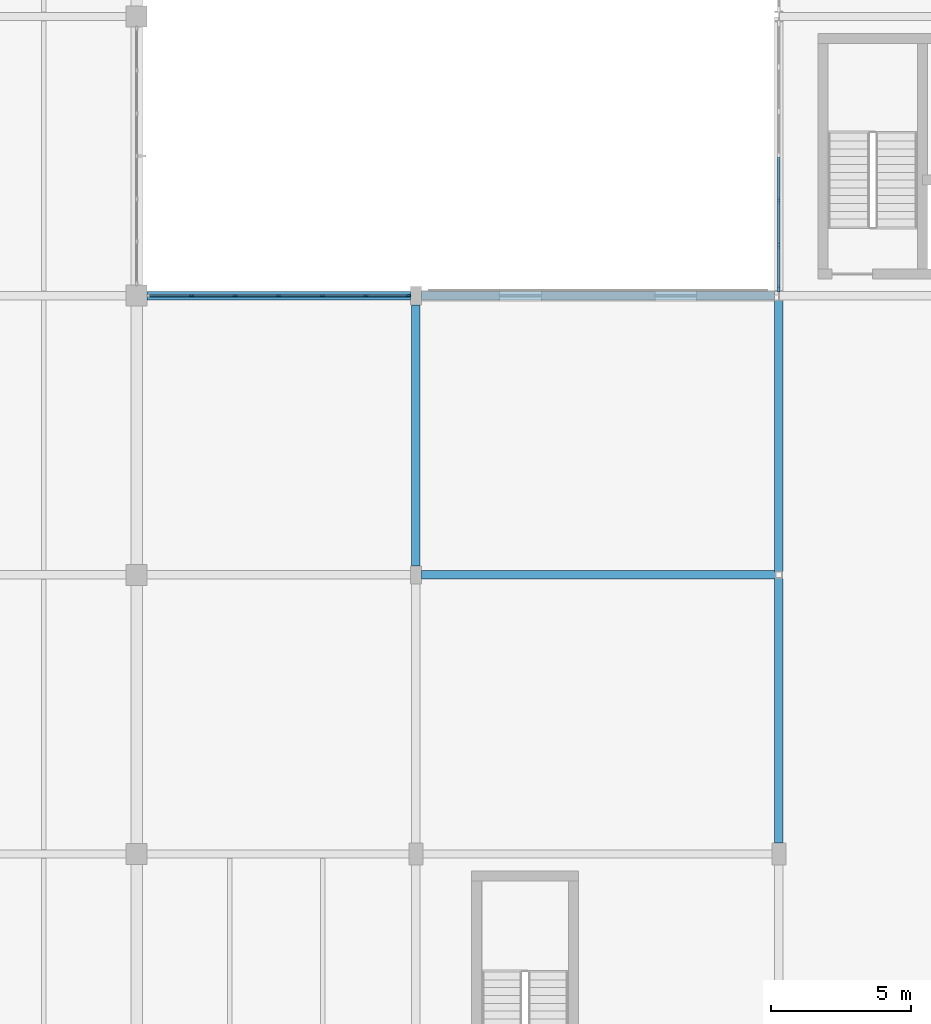
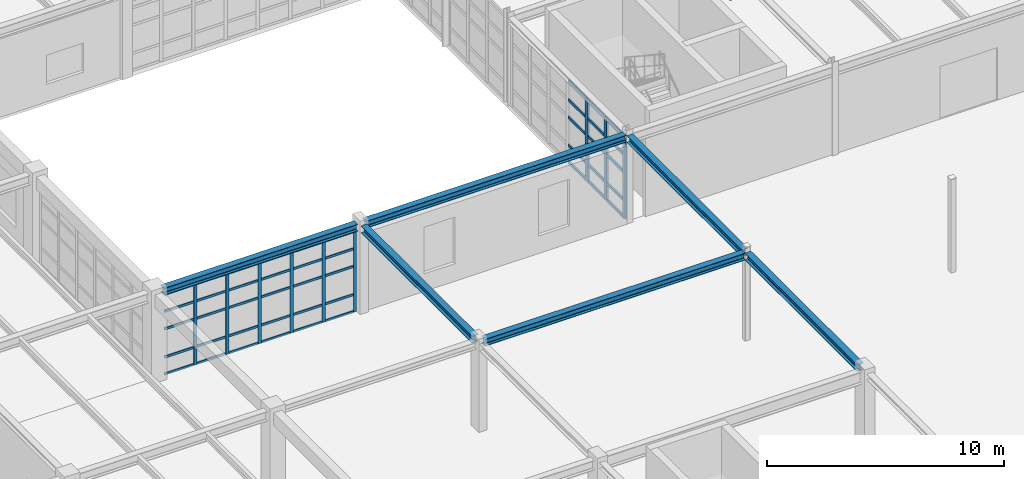
# One storey, part 35 of 139: 54 members, 6 beams, 2 elements without a shape of their own.
"""IFC4 building model written with IfcOpenShell, lengths in metres."""

from ifc_helpers import new_model, si_unit, direction, frame, origin, origin_2d, place, context, subcontext, project, spatial, rectangle, i_section, extrude, material, layer, layer_set, material_profile, profile_set, type_object, element, aggregate, save


model = new_model("IFC4")

# Units and contexts
model_context = context("Model", 3, precision=1e-05, world=origin(), true_north=direction((0.0, 1.0)))
body_context = subcontext(model_context, "Body", "Model", "MODEL_VIEW")
ifc_project = project(units=[si_unit("LENGTHUNIT", "METRE"), si_unit("AREAUNIT", "SQUARE_METRE"), si_unit("VOLUMEUNIT", "CUBIC_METRE"), si_unit("PLANEANGLEUNIT", "RADIAN"), si_unit("MASSUNIT", "GRAM", prefix="KILO"), si_unit("THERMODYNAMICTEMPERATUREUNIT", "KELVIN"), si_unit("POWERUNIT", "WATT")], contexts=[model_context])

# Site, building, storey
site_placement = place(None, origin())
site = spatial("IfcSite", under=ifc_project, at=site_placement, CompositionType="ELEMENT")
building_placement = place(site_placement, origin())
building = spatial("IfcBuilding", under=site, at=building_placement, Name="Korenveer Ferry Terminal", CompositionType="ELEMENT")
storey_placement = place(building_placement, frame((0.0, 0.0, 5.39990234375)))
storey = spatial("IfcBuildingStorey", under=building, at=storey_placement, Name="L01", CompositionType="ELEMENT", Elevation=5.39990234375)

# Curtain wall, members
ifc_material_1 = material(Name="Unitised bronze-and-glass curtain wall", Category="glass")
ifc_layer_1 = layer(ifc_material_1, 0.159912109375)
ifc_layer_set_1 = layer_set([ifc_layer_1], Name="Unitised bronze-and-glass curtain wall")
curtain_wall_type_1 = type_object("IfcCurtainWallType", Name="ENV-CW-43", PredefinedType="USERDEFINED", material=ifc_layer_set_1)
curtain_wall_1_placement = place(storey_placement, frame((30.405029296875, 50.0, 0.0)))
curtain_wall_1 = element("IfcCurtainWall", 1, at=curtain_wall_1_placement, inside=storey, type_object=curtain_wall_type_1, Name="Lancet curtain wall CWX-L01-X30-40-Y50-50", ObjectType="UNITISED CURTAIN WALL", PredefinedType="USERDEFINED")
ifc_material_2 = material(Name="Anodised bronze aluminium", Category="aluminium")
ifc_material_profile_1 = material_profile(ifc_material_2, rectangle(XDim=0.06005859375, YDim=0.159912109375, at=origin_2d()), Name="ALU 60x160")
ifc_profile_set_1 = profile_set([ifc_material_profile_1], Name="Anodised bronze aluminium")
member_type_1 = type_object("IfcMemberType", Name="ENV-CWM-60X160", PredefinedType="MULLION", material=ifc_profile_set_1)
member_1_placement = place(storey_placement, frame((31.9658203125, 50.0, 0.0), z_axis=(0.0, 0.0, 1.0), x_axis=(0.0, 1.0, 0.0)))
member_1 = element("IfcMember", 2, at=member_1_placement, type_object=member_type_1, Name="CW-43 mullion 2", PredefinedType="MULLION", context=body_context, shape_type="SweptSolid", body=[
    extrude(rectangle(XDim=0.06005859375, YDim=0.159912109375, at=origin_2d()), origin(), (0.0, 0.0, 1.0), 4.16015625),
])
member_2_placement = place(storey_placement, frame((33.526611328125, 50.0, 0.0), z_axis=(0.0, 0.0, 1.0), x_axis=(0.0, 1.0, 0.0)))
member_2 = element("IfcMember", 3, at=member_2_placement, type_object=member_type_1, Name="CW-43 mullion 3", PredefinedType="MULLION", context=body_context, shape_type="SweptSolid", body=[
    extrude(rectangle(XDim=0.06005859375, YDim=0.159912109375, at=origin_2d()), origin(), (0.0, 0.0, 1.0), 4.16015625),
])
member_3_placement = place(storey_placement, frame((35.08740234375, 50.0, 0.0), z_axis=(0.0, 0.0, 1.0), x_axis=(0.0, 1.0, 0.0)))
member_3 = element("IfcMember", 4, at=member_3_placement, type_object=member_type_1, Name="CW-43 mullion 4", PredefinedType="MULLION", context=body_context, shape_type="SweptSolid", body=[
    extrude(rectangle(XDim=0.06005859375, YDim=0.159912109375, at=origin_2d()), origin(), (0.0, 0.0, 1.0), 4.16015625),
])
member_4_placement = place(storey_placement, frame((36.6484375, 50.0, 0.0), z_axis=(0.0, 0.0, 1.0), x_axis=(0.0, 1.0, 0.0)))
member_4 = element("IfcMember", 5, at=member_4_placement, type_object=member_type_1, Name="CW-43 mullion 5", PredefinedType="MULLION", context=body_context, shape_type="SweptSolid", body=[
    extrude(rectangle(XDim=0.06005859375, YDim=0.159912109375, at=origin_2d()), origin(), (0.0, 0.0, 1.0), 4.16015625),
])
member_5_placement = place(storey_placement, frame((38.209228515625, 50.0, 0.0), z_axis=(0.0, 0.0, 1.0), x_axis=(0.0, 1.0, 0.0)))
member_5 = element("IfcMember", 6, at=member_5_placement, type_object=member_type_1, Name="CW-43 mullion 6", PredefinedType="MULLION", context=body_context, shape_type="SweptSolid", body=[
    extrude(rectangle(XDim=0.06005859375, YDim=0.159912109375, at=origin_2d()), origin(), (0.0, 0.0, 1.0), 4.16015625),
])
member_6_placement = place(storey_placement, frame((39.739990234375, 50.0, 0.0), z_axis=(0.0, 0.0, 1.0), x_axis=(0.0, 1.0, 0.0)))
member_6 = element("IfcMember", 7, at=member_6_placement, type_object=member_type_1, Name="CW-43 mullion 7", PredefinedType="MULLION", context=body_context, shape_type="SweptSolid", body=[
    extrude(rectangle(XDim=0.06005859375, YDim=0.159912109375, at=origin_2d()), origin(), (0.0, 0.0, 1.0), 4.16015625),
])

ifc_layer_2 = layer(ifc_material_1, 0.219970703125)
ifc_layer_set_2 = layer_set([ifc_layer_2], Name="Unitised bronze-and-glass curtain wall")
curtain_wall_type_2 = type_object("IfcCurtainWallType", Name="ENV-CW-68", PredefinedType="USERDEFINED", material=ifc_layer_set_2)
curtain_wall_2_placement = place(storey_placement, frame((53.0, 50.2099609375, 0.0)))
curtain_wall_2 = element("IfcCurtainWall", 8, at=curtain_wall_2_placement, inside=storey, type_object=curtain_wall_type_2, Name="Lancet curtain wall CWX-L01-X53-53-Y50-60", ObjectType="UNITISED CURTAIN WALL", PredefinedType="USERDEFINED")
ifc_material_profile_2 = material_profile(ifc_material_2, rectangle(XDim=0.074951171875, YDim=0.219970703125, at=origin_2d()), Name="ALU 75x220")
ifc_profile_set_2 = profile_set([ifc_material_profile_2], Name="Anodised bronze aluminium")
member_type_2 = type_object("IfcMemberType", Name="ENV-CWM-75X220", PredefinedType="MULLION", material=ifc_profile_set_2)
member_7_placement = place(storey_placement, frame((53.0, 50.24755859375, 0.0), z_axis=(0.0, 0.0, 1.0), x_axis=(-1.0, 0.0, 0.0)))
member_7 = element("IfcMember", 9, at=member_7_placement, type_object=member_type_2, Name="CW-68 mullion 1", PredefinedType="MULLION", context=body_context, shape_type="SweptSolid", body=[
    extrude(rectangle(XDim=0.074951171875, YDim=0.219970703125, at=origin_2d()), origin(), (0.0, 0.0, 1.0), 4.22998046875),
])
member_8_placement = place(storey_placement, frame((53.0, 51.806640625, 0.0), z_axis=(0.0, 0.0, 1.0), x_axis=(-1.0, 0.0, 0.0)))
member_8 = element("IfcMember", 10, at=member_8_placement, type_object=member_type_2, Name="CW-68 mullion 2", PredefinedType="MULLION", context=body_context, shape_type="SweptSolid", body=[
    extrude(rectangle(XDim=0.074951171875, YDim=0.219970703125, at=origin_2d()), origin(), (0.0, 0.0, 1.0), 4.22998046875),
])
member_9_placement = place(storey_placement, frame((53.0, 53.4033203125, 0.0), z_axis=(0.0, 0.0, 1.0), x_axis=(-1.0, 0.0, 0.0)))
member_9 = element("IfcMember", 11, at=member_9_placement, type_object=member_type_2, Name="CW-68 mullion 3", PredefinedType="MULLION", context=body_context, shape_type="SweptSolid", body=[
    extrude(rectangle(XDim=0.074951171875, YDim=0.219970703125, at=origin_2d()), origin(), (0.0, 0.0, 1.0), 4.22998046875),
])

# Member
ifc_material_profile_3 = material_profile(ifc_material_2, rectangle(XDim=0.06005859375, YDim=0.1201171875, at=origin_2d()), Name="ALU 60x120")
ifc_profile_set_3 = profile_set([ifc_material_profile_3], Name="Anodised bronze aluminium")
member_type_3 = type_object("IfcMemberType", Name="ENV-CWT-60X120", PredefinedType="USERDEFINED", material=ifc_profile_set_3)
member_10_placement = place(storey_placement, frame((30.465087890625, 50.0, 0.030029296875), z_axis=(1.0, 0.0, 0.0), x_axis=(0.0, 1.0, 0.0)))
member_10 = element("IfcMember", 12, at=member_10_placement, type_object=member_type_3, Name="CW-43 transom 1.1", ObjectType="TRANSOM", PredefinedType="USERDEFINED", context=body_context, shape_type="SweptSolid", body=[
    extrude(rectangle(XDim=0.06005859375, YDim=0.1201171875, at=origin_2d()), origin(), (0.0, 0.0, 1.0), 1.470703125),
])

member_11_placement = place(storey_placement, frame((30.465087890625, 50.0, 0.900146484375), z_axis=(1.0, 0.0, 0.0), x_axis=(0.0, 1.0, 0.0)))
member_11 = element("IfcMember", 13, at=member_11_placement, type_object=member_type_3, Name="CW-43 transom 1.2", ObjectType="TRANSOM", PredefinedType="USERDEFINED", context=body_context, shape_type="SweptSolid", body=[
    extrude(rectangle(XDim=0.06005859375, YDim=0.1201171875, at=origin_2d()), origin(), (0.0, 0.0, 1.0), 1.470703125),
])

member_12_placement = place(storey_placement, frame((30.465087890625, 50.0, 2.35009765625), z_axis=(1.0, 0.0, 0.0), x_axis=(0.0, 1.0, 0.0)))
member_12 = element("IfcMember", 14, at=member_12_placement, type_object=member_type_3, Name="CW-43 transom 1.3", ObjectType="TRANSOM", PredefinedType="USERDEFINED", context=body_context, shape_type="SweptSolid", body=[
    extrude(rectangle(XDim=0.06005859375, YDim=0.1201171875, at=origin_2d()), origin(), (0.0, 0.0, 1.0), 1.470703125),
])

member_13_placement = place(storey_placement, frame((30.465087890625, 50.0, 3.25), z_axis=(1.0, 0.0, 0.0), x_axis=(0.0, 1.0, 0.0)))
member_13 = element("IfcMember", 15, at=member_13_placement, type_object=member_type_3, Name="CW-43 transom 1.4", ObjectType="TRANSOM", PredefinedType="USERDEFINED", context=body_context, shape_type="SweptSolid", body=[
    extrude(rectangle(XDim=0.06005859375, YDim=0.1201171875, at=origin_2d()), origin(), (0.0, 0.0, 1.0), 1.470703125),
])

member_14_placement = place(storey_placement, frame((30.465087890625, 50.0, 4.130126953125), z_axis=(1.0, 0.0, 0.0), x_axis=(0.0, 1.0, 0.0)))
member_14 = element("IfcMember", 16, at=member_14_placement, type_object=member_type_3, Name="CW-43 transom 1.5", ObjectType="TRANSOM", PredefinedType="USERDEFINED", context=body_context, shape_type="SweptSolid", body=[
    extrude(rectangle(XDim=0.06005859375, YDim=0.1201171875, at=origin_2d()), origin(), (0.0, 0.0, 1.0), 1.470703125),
])

member_15_placement = place(storey_placement, frame((31.995849609375, 50.0, 0.030029296875), z_axis=(1.0, 0.0, 0.0), x_axis=(0.0, 1.0, 0.0)))
member_15 = element("IfcMember", 17, at=member_15_placement, type_object=member_type_3, Name="CW-43 transom 2.1", ObjectType="TRANSOM", PredefinedType="USERDEFINED", context=body_context, shape_type="SweptSolid", body=[
    extrude(rectangle(XDim=0.06005859375, YDim=0.1201171875, at=origin_2d()), origin(), (0.0, 0.0, 1.0), 1.500732421875),
])

member_16_placement = place(storey_placement, frame((31.995849609375, 50.0, 0.900146484375), z_axis=(1.0, 0.0, 0.0), x_axis=(0.0, 1.0, 0.0)))
member_16 = element("IfcMember", 18, at=member_16_placement, type_object=member_type_3, Name="CW-43 transom 2.2", ObjectType="TRANSOM", PredefinedType="USERDEFINED", context=body_context, shape_type="SweptSolid", body=[
    extrude(rectangle(XDim=0.06005859375, YDim=0.1201171875, at=origin_2d()), origin(), (0.0, 0.0, 1.0), 1.500732421875),
])

member_17_placement = place(storey_placement, frame((31.995849609375, 50.0, 2.35009765625), z_axis=(1.0, 0.0, 0.0), x_axis=(0.0, 1.0, 0.0)))
member_17 = element("IfcMember", 19, at=member_17_placement, type_object=member_type_3, Name="CW-43 transom 2.3", ObjectType="TRANSOM", PredefinedType="USERDEFINED", context=body_context, shape_type="SweptSolid", body=[
    extrude(rectangle(XDim=0.06005859375, YDim=0.1201171875, at=origin_2d()), origin(), (0.0, 0.0, 1.0), 1.500732421875),
])

member_18_placement = place(storey_placement, frame((31.995849609375, 50.0, 3.25), z_axis=(1.0, 0.0, 0.0), x_axis=(0.0, 1.0, 0.0)))
member_18 = element("IfcMember", 20, at=member_18_placement, type_object=member_type_3, Name="CW-43 transom 2.4", ObjectType="TRANSOM", PredefinedType="USERDEFINED", context=body_context, shape_type="SweptSolid", body=[
    extrude(rectangle(XDim=0.06005859375, YDim=0.1201171875, at=origin_2d()), origin(), (0.0, 0.0, 1.0), 1.500732421875),
])

member_19_placement = place(storey_placement, frame((31.995849609375, 50.0, 4.130126953125), z_axis=(1.0, 0.0, 0.0), x_axis=(0.0, 1.0, 0.0)))
member_19 = element("IfcMember", 21, at=member_19_placement, type_object=member_type_3, Name="CW-43 transom 2.5", ObjectType="TRANSOM", PredefinedType="USERDEFINED", context=body_context, shape_type="SweptSolid", body=[
    extrude(rectangle(XDim=0.06005859375, YDim=0.1201171875, at=origin_2d()), origin(), (0.0, 0.0, 1.0), 1.500732421875),
])

member_20_placement = place(storey_placement, frame((33.556640625, 50.0, 0.030029296875), z_axis=(1.0, 0.0, 0.0), x_axis=(0.0, 1.0, 0.0)))
member_20 = element("IfcMember", 22, at=member_20_placement, type_object=member_type_3, Name="CW-43 transom 3.1", ObjectType="TRANSOM", PredefinedType="USERDEFINED", context=body_context, shape_type="SweptSolid", body=[
    extrude(rectangle(XDim=0.06005859375, YDim=0.1201171875, at=origin_2d()), origin(), (0.0, 0.0, 1.0), 1.5009765625),
])

member_21_placement = place(storey_placement, frame((33.556640625, 50.0, 0.900146484375), z_axis=(1.0, 0.0, 0.0), x_axis=(0.0, 1.0, 0.0)))
member_21 = element("IfcMember", 23, at=member_21_placement, type_object=member_type_3, Name="CW-43 transom 3.2", ObjectType="TRANSOM", PredefinedType="USERDEFINED", context=body_context, shape_type="SweptSolid", body=[
    extrude(rectangle(XDim=0.06005859375, YDim=0.1201171875, at=origin_2d()), origin(), (0.0, 0.0, 1.0), 1.5009765625),
])

member_22_placement = place(storey_placement, frame((33.556640625, 50.0, 2.35009765625), z_axis=(1.0, 0.0, 0.0), x_axis=(0.0, 1.0, 0.0)))
member_22 = element("IfcMember", 24, at=member_22_placement, type_object=member_type_3, Name="CW-43 transom 3.3", ObjectType="TRANSOM", PredefinedType="USERDEFINED", context=body_context, shape_type="SweptSolid", body=[
    extrude(rectangle(XDim=0.06005859375, YDim=0.1201171875, at=origin_2d()), origin(), (0.0, 0.0, 1.0), 1.5009765625),
])

member_23_placement = place(storey_placement, frame((33.556640625, 50.0, 3.25), z_axis=(1.0, 0.0, 0.0), x_axis=(0.0, 1.0, 0.0)))
member_23 = element("IfcMember", 25, at=member_23_placement, type_object=member_type_3, Name="CW-43 transom 3.4", ObjectType="TRANSOM", PredefinedType="USERDEFINED", context=body_context, shape_type="SweptSolid", body=[
    extrude(rectangle(XDim=0.06005859375, YDim=0.1201171875, at=origin_2d()), origin(), (0.0, 0.0, 1.0), 1.5009765625),
])

member_24_placement = place(storey_placement, frame((33.556640625, 50.0, 4.130126953125), z_axis=(1.0, 0.0, 0.0), x_axis=(0.0, 1.0, 0.0)))
member_24 = element("IfcMember", 26, at=member_24_placement, type_object=member_type_3, Name="CW-43 transom 3.5", ObjectType="TRANSOM", PredefinedType="USERDEFINED", context=body_context, shape_type="SweptSolid", body=[
    extrude(rectangle(XDim=0.06005859375, YDim=0.1201171875, at=origin_2d()), origin(), (0.0, 0.0, 1.0), 1.5009765625),
])

member_25_placement = place(storey_placement, frame((35.117431640625, 50.0, 0.030029296875), z_axis=(1.0, 0.0, 0.0), x_axis=(0.0, 1.0, 0.0)))
member_25 = element("IfcMember", 27, at=member_25_placement, type_object=member_type_3, Name="CW-43 transom 4.1", ObjectType="TRANSOM", PredefinedType="USERDEFINED", context=body_context, shape_type="SweptSolid", body=[
    extrude(rectangle(XDim=0.06005859375, YDim=0.1201171875, at=origin_2d()), origin(), (0.0, 0.0, 1.0), 1.5009765625),
])

member_26_placement = place(storey_placement, frame((35.117431640625, 50.0, 0.900146484375), z_axis=(1.0, 0.0, 0.0), x_axis=(0.0, 1.0, 0.0)))
member_26 = element("IfcMember", 28, at=member_26_placement, type_object=member_type_3, Name="CW-43 transom 4.2", ObjectType="TRANSOM", PredefinedType="USERDEFINED", context=body_context, shape_type="SweptSolid", body=[
    extrude(rectangle(XDim=0.06005859375, YDim=0.1201171875, at=origin_2d()), origin(), (0.0, 0.0, 1.0), 1.5009765625),
])

member_27_placement = place(storey_placement, frame((35.117431640625, 50.0, 2.35009765625), z_axis=(1.0, 0.0, 0.0), x_axis=(0.0, 1.0, 0.0)))
member_27 = element("IfcMember", 29, at=member_27_placement, type_object=member_type_3, Name="CW-43 transom 4.3", ObjectType="TRANSOM", PredefinedType="USERDEFINED", context=body_context, shape_type="SweptSolid", body=[
    extrude(rectangle(XDim=0.06005859375, YDim=0.1201171875, at=origin_2d()), origin(), (0.0, 0.0, 1.0), 1.5009765625),
])

member_28_placement = place(storey_placement, frame((35.117431640625, 50.0, 3.25), z_axis=(1.0, 0.0, 0.0), x_axis=(0.0, 1.0, 0.0)))
member_28 = element("IfcMember", 30, at=member_28_placement, type_object=member_type_3, Name="CW-43 transom 4.4", ObjectType="TRANSOM", PredefinedType="USERDEFINED", context=body_context, shape_type="SweptSolid", body=[
    extrude(rectangle(XDim=0.06005859375, YDim=0.1201171875, at=origin_2d()), origin(), (0.0, 0.0, 1.0), 1.5009765625),
])

member_29_placement = place(storey_placement, frame((35.117431640625, 50.0, 4.130126953125), z_axis=(1.0, 0.0, 0.0), x_axis=(0.0, 1.0, 0.0)))
member_29 = element("IfcMember", 31, at=member_29_placement, type_object=member_type_3, Name="CW-43 transom 4.5", ObjectType="TRANSOM", PredefinedType="USERDEFINED", context=body_context, shape_type="SweptSolid", body=[
    extrude(rectangle(XDim=0.06005859375, YDim=0.1201171875, at=origin_2d()), origin(), (0.0, 0.0, 1.0), 1.5009765625),
])

member_30_placement = place(storey_placement, frame((36.67822265625, 50.0, 0.030029296875), z_axis=(1.0, 0.0, 0.0), x_axis=(0.0, 1.0, 0.0)))
member_30 = element("IfcMember", 32, at=member_30_placement, type_object=member_type_3, Name="CW-43 transom 5.1", ObjectType="TRANSOM", PredefinedType="USERDEFINED", context=body_context, shape_type="SweptSolid", body=[
    extrude(rectangle(XDim=0.06005859375, YDim=0.1201171875, at=origin_2d()), origin(), (0.0, 0.0, 1.0), 1.5009765625),
])

member_31_placement = place(storey_placement, frame((36.67822265625, 50.0, 0.900146484375), z_axis=(1.0, 0.0, 0.0), x_axis=(0.0, 1.0, 0.0)))
member_31 = element("IfcMember", 33, at=member_31_placement, type_object=member_type_3, Name="CW-43 transom 5.2", ObjectType="TRANSOM", PredefinedType="USERDEFINED", context=body_context, shape_type="SweptSolid", body=[
    extrude(rectangle(XDim=0.06005859375, YDim=0.1201171875, at=origin_2d()), origin(), (0.0, 0.0, 1.0), 1.5009765625),
])

member_32_placement = place(storey_placement, frame((36.67822265625, 50.0, 2.35009765625), z_axis=(1.0, 0.0, 0.0), x_axis=(0.0, 1.0, 0.0)))
member_32 = element("IfcMember", 34, at=member_32_placement, type_object=member_type_3, Name="CW-43 transom 5.3", ObjectType="TRANSOM", PredefinedType="USERDEFINED", context=body_context, shape_type="SweptSolid", body=[
    extrude(rectangle(XDim=0.06005859375, YDim=0.1201171875, at=origin_2d()), origin(), (0.0, 0.0, 1.0), 1.5009765625),
])

member_33_placement = place(storey_placement, frame((36.67822265625, 50.0, 3.25), z_axis=(1.0, 0.0, 0.0), x_axis=(0.0, 1.0, 0.0)))
member_33 = element("IfcMember", 35, at=member_33_placement, type_object=member_type_3, Name="CW-43 transom 5.4", ObjectType="TRANSOM", PredefinedType="USERDEFINED", context=body_context, shape_type="SweptSolid", body=[
    extrude(rectangle(XDim=0.06005859375, YDim=0.1201171875, at=origin_2d()), origin(), (0.0, 0.0, 1.0), 1.5009765625),
])

member_34_placement = place(storey_placement, frame((36.67822265625, 50.0, 4.130126953125), z_axis=(1.0, 0.0, 0.0), x_axis=(0.0, 1.0, 0.0)))
member_34 = element("IfcMember", 36, at=member_34_placement, type_object=member_type_3, Name="CW-43 transom 5.5", ObjectType="TRANSOM", PredefinedType="USERDEFINED", context=body_context, shape_type="SweptSolid", body=[
    extrude(rectangle(XDim=0.06005859375, YDim=0.1201171875, at=origin_2d()), origin(), (0.0, 0.0, 1.0), 1.5009765625),
])

member_35_placement = place(storey_placement, frame((38.2392578125, 50.0, 0.030029296875), z_axis=(1.0, 0.0, 0.0), x_axis=(0.0, 1.0, 0.0)))
member_35 = element("IfcMember", 37, at=member_35_placement, type_object=member_type_3, Name="CW-43 transom 6.1", ObjectType="TRANSOM", PredefinedType="USERDEFINED", context=body_context, shape_type="SweptSolid", body=[
    extrude(rectangle(XDim=0.06005859375, YDim=0.1201171875, at=origin_2d()), origin(), (0.0, 0.0, 1.0), 1.470703125),
])

member_36_placement = place(storey_placement, frame((38.2392578125, 50.0, 0.900146484375), z_axis=(1.0, 0.0, 0.0), x_axis=(0.0, 1.0, 0.0)))
member_36 = element("IfcMember", 38, at=member_36_placement, type_object=member_type_3, Name="CW-43 transom 6.2", ObjectType="TRANSOM", PredefinedType="USERDEFINED", context=body_context, shape_type="SweptSolid", body=[
    extrude(rectangle(XDim=0.06005859375, YDim=0.1201171875, at=origin_2d()), origin(), (0.0, 0.0, 1.0), 1.470703125),
])

member_37_placement = place(storey_placement, frame((38.2392578125, 50.0, 2.35009765625), z_axis=(1.0, 0.0, 0.0), x_axis=(0.0, 1.0, 0.0)))
member_37 = element("IfcMember", 39, at=member_37_placement, type_object=member_type_3, Name="CW-43 transom 6.3", ObjectType="TRANSOM", PredefinedType="USERDEFINED", context=body_context, shape_type="SweptSolid", body=[
    extrude(rectangle(XDim=0.06005859375, YDim=0.1201171875, at=origin_2d()), origin(), (0.0, 0.0, 1.0), 1.470703125),
])

member_38_placement = place(storey_placement, frame((38.2392578125, 50.0, 3.25), z_axis=(1.0, 0.0, 0.0), x_axis=(0.0, 1.0, 0.0)))
member_38 = element("IfcMember", 40, at=member_38_placement, type_object=member_type_3, Name="CW-43 transom 6.4", ObjectType="TRANSOM", PredefinedType="USERDEFINED", context=body_context, shape_type="SweptSolid", body=[
    extrude(rectangle(XDim=0.06005859375, YDim=0.1201171875, at=origin_2d()), origin(), (0.0, 0.0, 1.0), 1.470703125),
])

member_39_placement = place(storey_placement, frame((38.2392578125, 50.0, 4.130126953125), z_axis=(1.0, 0.0, 0.0), x_axis=(0.0, 1.0, 0.0)))
member_39 = element("IfcMember", 41, at=member_39_placement, type_object=member_type_3, Name="CW-43 transom 6.5", ObjectType="TRANSOM", PredefinedType="USERDEFINED", context=body_context, shape_type="SweptSolid", body=[
    extrude(rectangle(XDim=0.06005859375, YDim=0.1201171875, at=origin_2d()), origin(), (0.0, 0.0, 1.0), 1.470703125),
])

aggregate(curtain_wall_1, [member_1, member_2, member_3, member_4, member_5, member_6, member_10, member_11, member_12, member_13, member_14, member_15, member_16, member_17, member_18, member_19, member_20, member_21, member_22, member_23, member_24, member_25, member_26, member_27, member_28, member_29, member_30, member_31, member_32, member_33, member_34, member_35, member_36, member_37, member_38, member_39])

ifc_material_profile_4 = material_profile(ifc_material_2, rectangle(XDim=0.074951171875, YDim=0.14990234375, at=origin_2d()), Name="ALU 75x150")
ifc_profile_set_4 = profile_set([ifc_material_profile_4], Name="Anodised bronze aluminium")
member_type_4 = type_object("IfcMemberType", Name="ENV-CWT-75X150", PredefinedType="USERDEFINED", material=ifc_profile_set_4)
member_40_placement = place(storey_placement, frame((53.0, 50.284912109375, 0.03759765625), z_axis=(0.0, 1.0, 0.0), x_axis=(-1.0, 0.0, 0.0)))
member_40 = element("IfcMember", 42, at=member_40_placement, type_object=member_type_4, Name="CW-68 transom 1.1", ObjectType="TRANSOM", PredefinedType="USERDEFINED", context=body_context, shape_type="SweptSolid", body=[
    extrude(rectangle(XDim=0.074951171875, YDim=0.14990234375, at=origin_2d()), origin(), (0.0, 0.0, 1.0), 1.484375),
])

member_41_placement = place(storey_placement, frame((53.0, 50.284912109375, 0.900146484375), z_axis=(0.0, 1.0, 0.0), x_axis=(-1.0, 0.0, 0.0)))
member_41 = element("IfcMember", 43, at=member_41_placement, type_object=member_type_4, Name="CW-68 transom 1.2", ObjectType="TRANSOM", PredefinedType="USERDEFINED", context=body_context, shape_type="SweptSolid", body=[
    extrude(rectangle(XDim=0.074951171875, YDim=0.14990234375, at=origin_2d()), origin(), (0.0, 0.0, 1.0), 1.484375),
])

member_42_placement = place(storey_placement, frame((53.0, 50.284912109375, 2.35009765625), z_axis=(0.0, 1.0, 0.0), x_axis=(-1.0, 0.0, 0.0)))
member_42 = element("IfcMember", 44, at=member_42_placement, type_object=member_type_4, Name="CW-68 transom 1.3", ObjectType="TRANSOM", PredefinedType="USERDEFINED", context=body_context, shape_type="SweptSolid", body=[
    extrude(rectangle(XDim=0.074951171875, YDim=0.14990234375, at=origin_2d()), origin(), (0.0, 0.0, 1.0), 1.484375),
])

member_43_placement = place(storey_placement, frame((53.0, 50.284912109375, 3.25), z_axis=(0.0, 1.0, 0.0), x_axis=(-1.0, 0.0, 0.0)))
member_43 = element("IfcMember", 45, at=member_43_placement, type_object=member_type_4, Name="CW-68 transom 1.4", ObjectType="TRANSOM", PredefinedType="USERDEFINED", context=body_context, shape_type="SweptSolid", body=[
    extrude(rectangle(XDim=0.074951171875, YDim=0.14990234375, at=origin_2d()), origin(), (0.0, 0.0, 1.0), 1.484375),
])

member_44_placement = place(storey_placement, frame((53.0, 50.284912109375, 4.192626953125), z_axis=(0.0, 1.0, 0.0), x_axis=(-1.0, 0.0, 0.0)))
member_44 = element("IfcMember", 46, at=member_44_placement, type_object=member_type_4, Name="CW-68 transom 1.5", ObjectType="TRANSOM", PredefinedType="USERDEFINED", context=body_context, shape_type="SweptSolid", body=[
    extrude(rectangle(XDim=0.074951171875, YDim=0.14990234375, at=origin_2d()), origin(), (0.0, 0.0, 1.0), 1.484375),
])

member_45_placement = place(storey_placement, frame((53.0, 51.84423828125, 0.03759765625), z_axis=(0.0, 1.0, 0.0), x_axis=(-1.0, 0.0, 0.0)))
member_45 = element("IfcMember", 47, at=member_45_placement, type_object=member_type_4, Name="CW-68 transom 2.1", ObjectType="TRANSOM", PredefinedType="USERDEFINED", context=body_context, shape_type="SweptSolid", body=[
    extrude(rectangle(XDim=0.074951171875, YDim=0.14990234375, at=origin_2d()), origin(), (0.0, 0.0, 1.0), 1.521484375),
])

member_46_placement = place(storey_placement, frame((53.0, 51.84423828125, 0.900146484375), z_axis=(0.0, 1.0, 0.0), x_axis=(-1.0, 0.0, 0.0)))
member_46 = element("IfcMember", 48, at=member_46_placement, type_object=member_type_4, Name="CW-68 transom 2.2", ObjectType="TRANSOM", PredefinedType="USERDEFINED", context=body_context, shape_type="SweptSolid", body=[
    extrude(rectangle(XDim=0.074951171875, YDim=0.14990234375, at=origin_2d()), origin(), (0.0, 0.0, 1.0), 1.521484375),
])

member_47_placement = place(storey_placement, frame((53.0, 51.84423828125, 2.35009765625), z_axis=(0.0, 1.0, 0.0), x_axis=(-1.0, 0.0, 0.0)))
member_47 = element("IfcMember", 49, at=member_47_placement, type_object=member_type_4, Name="CW-68 transom 2.3", ObjectType="TRANSOM", PredefinedType="USERDEFINED", context=body_context, shape_type="SweptSolid", body=[
    extrude(rectangle(XDim=0.074951171875, YDim=0.14990234375, at=origin_2d()), origin(), (0.0, 0.0, 1.0), 1.521484375),
])

member_48_placement = place(storey_placement, frame((53.0, 51.84423828125, 3.25), z_axis=(0.0, 1.0, 0.0), x_axis=(-1.0, 0.0, 0.0)))
member_48 = element("IfcMember", 50, at=member_48_placement, type_object=member_type_4, Name="CW-68 transom 2.4", ObjectType="TRANSOM", PredefinedType="USERDEFINED", context=body_context, shape_type="SweptSolid", body=[
    extrude(rectangle(XDim=0.074951171875, YDim=0.14990234375, at=origin_2d()), origin(), (0.0, 0.0, 1.0), 1.521484375),
])

member_49_placement = place(storey_placement, frame((53.0, 51.84423828125, 4.192626953125), z_axis=(0.0, 1.0, 0.0), x_axis=(-1.0, 0.0, 0.0)))
member_49 = element("IfcMember", 51, at=member_49_placement, type_object=member_type_4, Name="CW-68 transom 2.5", ObjectType="TRANSOM", PredefinedType="USERDEFINED", context=body_context, shape_type="SweptSolid", body=[
    extrude(rectangle(XDim=0.074951171875, YDim=0.14990234375, at=origin_2d()), origin(), (0.0, 0.0, 1.0), 1.521484375),
])

member_50_placement = place(storey_placement, frame((53.0, 53.44091796875, 0.03759765625), z_axis=(0.0, 1.0, 0.0), x_axis=(-1.0, 0.0, 0.0)))
member_50 = element("IfcMember", 52, at=member_50_placement, type_object=member_type_4, Name="CW-68 transom 3.1", ObjectType="TRANSOM", PredefinedType="USERDEFINED", context=body_context, shape_type="SweptSolid", body=[
    extrude(rectangle(XDim=0.074951171875, YDim=0.14990234375, at=origin_2d()), origin(), (0.0, 0.0, 1.0), 1.521484375),
])

member_51_placement = place(storey_placement, frame((53.0, 53.44091796875, 0.900146484375), z_axis=(0.0, 1.0, 0.0), x_axis=(-1.0, 0.0, 0.0)))
member_51 = element("IfcMember", 53, at=member_51_placement, type_object=member_type_4, Name="CW-68 transom 3.2", ObjectType="TRANSOM", PredefinedType="USERDEFINED", context=body_context, shape_type="SweptSolid", body=[
    extrude(rectangle(XDim=0.074951171875, YDim=0.14990234375, at=origin_2d()), origin(), (0.0, 0.0, 1.0), 1.521484375),
])

member_52_placement = place(storey_placement, frame((53.0, 53.44091796875, 2.35009765625), z_axis=(0.0, 1.0, 0.0), x_axis=(-1.0, 0.0, 0.0)))
member_52 = element("IfcMember", 54, at=member_52_placement, type_object=member_type_4, Name="CW-68 transom 3.3", ObjectType="TRANSOM", PredefinedType="USERDEFINED", context=body_context, shape_type="SweptSolid", body=[
    extrude(rectangle(XDim=0.074951171875, YDim=0.14990234375, at=origin_2d()), origin(), (0.0, 0.0, 1.0), 1.521484375),
])

member_53_placement = place(storey_placement, frame((53.0, 53.44091796875, 3.25), z_axis=(0.0, 1.0, 0.0), x_axis=(-1.0, 0.0, 0.0)))
member_53 = element("IfcMember", 55, at=member_53_placement, type_object=member_type_4, Name="CW-68 transom 3.4", ObjectType="TRANSOM", PredefinedType="USERDEFINED", context=body_context, shape_type="SweptSolid", body=[
    extrude(rectangle(XDim=0.074951171875, YDim=0.14990234375, at=origin_2d()), origin(), (0.0, 0.0, 1.0), 1.521484375),
])

member_54_placement = place(storey_placement, frame((53.0, 53.44091796875, 4.192626953125), z_axis=(0.0, 1.0, 0.0), x_axis=(-1.0, 0.0, 0.0)))
member_54 = element("IfcMember", 56, at=member_54_placement, type_object=member_type_4, Name="CW-68 transom 3.5", ObjectType="TRANSOM", PredefinedType="USERDEFINED", context=body_context, shape_type="SweptSolid", body=[
    extrude(rectangle(XDim=0.074951171875, YDim=0.14990234375, at=origin_2d()), origin(), (0.0, 0.0, 1.0), 1.521484375),
])

aggregate(curtain_wall_2, [member_7, member_8, member_9, member_40, member_41, member_42, member_43, member_44, member_45, member_46, member_47, member_48, member_49, member_50, member_51, member_52, member_53, member_54])

# Beams
ifc_material_3 = material(Name="Steel S355", Category="steel")
ifc_material_profile_5 = material_profile(ifc_material_3, i_section(OverallWidth=0.300048828125, OverallDepth=0.360107421875, WebThickness=0.012451171875, FlangeThickness=0.0224609375, FilletRadius=0.027099609375, at=origin_2d()), Name="HEB 360")
ifc_profile_set_5 = profile_set([ifc_material_profile_5], Name="Steel S355")
beam_type = type_object("IfcBeamType", Name="STR-BM-HEB360", PredefinedType="BEAM", material=ifc_profile_set_5)
beam_1_placement = place(storey_placement, frame((40.199951171875, 40.0, 4.3701171875), z_axis=(1.0, 0.0, 0.0), x_axis=(0.0, 1.0, 0.0)))
element("IfcBeam", 57, at=beam_1_placement, inside=storey, type_object=beam_type, Name="Cloister pergola trellis girder BMPERG-X40-53-Y40", PredefinedType="BEAM", context=body_context, shape_type="SweptSolid", body=[
    extrude(i_section(OverallWidth=0.300048828125, OverallDepth=0.360107421875, WebThickness=0.012451171875, FlangeThickness=0.0224609375, FilletRadius=0.027099609375, at=origin_2d()), origin(), (0.0, 0.0, 1.0), 12.675048828125),
])
beam_2_placement = place(storey_placement, frame((30.375, 50.0, 4.3701171875), z_axis=(1.0, 0.0, 0.0), x_axis=(0.0, 1.0, 0.0)))
element("IfcBeam", 58, at=beam_2_placement, inside=storey, type_object=beam_type, Name="Cloister pergola trellis girder BMPERG-X30-40-Y50", PredefinedType="BEAM", context=body_context, shape_type="SweptSolid", body=[
    extrude(i_section(OverallWidth=0.300048828125, OverallDepth=0.360107421875, WebThickness=0.012451171875, FlangeThickness=0.0224609375, FilletRadius=0.027099609375, at=origin_2d()), origin(), (0.0, 0.0, 1.0), 9.425048828125),
])
beam_3_placement = place(storey_placement, frame((40.199951171875, 50.0, 4.3701171875), z_axis=(1.0, 0.0, 0.0), x_axis=(0.0, 1.0, 0.0)))
element("IfcBeam", 59, at=beam_3_placement, inside=storey, type_object=beam_type, Name="Cloister pergola trellis girder BMPERG-X40-53-Y50", PredefinedType="BEAM", context=body_context, shape_type="SweptSolid", body=[
    extrude(i_section(OverallWidth=0.300048828125, OverallDepth=0.360107421875, WebThickness=0.012451171875, FlangeThickness=0.0224609375, FilletRadius=0.027099609375, at=origin_2d()), origin(), (0.0, 0.0, 1.0), 12.650146484375),
])
beam_4_placement = place(storey_placement, frame((40.0, 40.324951171875, 4.3701171875), z_axis=(0.0, 1.0, 0.0), x_axis=(-1.0, 0.0, 0.0)))
element("IfcBeam", 60, at=beam_4_placement, inside=storey, type_object=beam_type, Name="Cloister pergola trellis girder BMPERG-X40-Y40-50", PredefinedType="BEAM", context=body_context, shape_type="SweptSolid", body=[
    extrude(i_section(OverallWidth=0.300048828125, OverallDepth=0.360107421875, WebThickness=0.012451171875, FlangeThickness=0.0224609375, FilletRadius=0.027099609375, at=origin_2d()), origin(), (0.0, 0.0, 1.0), 9.35009765625),
])
beam_5_placement = place(storey_placement, frame((53.0, 30.39990234375, 4.3701171875), z_axis=(0.0, 1.0, 0.0), x_axis=(-1.0, 0.0, 0.0)))
element("IfcBeam", 61, at=beam_5_placement, inside=storey, type_object=beam_type, Name="Cloister pergola trellis girder BMPERG-X53-Y30-40", PredefinedType="BEAM", context=body_context, shape_type="SweptSolid", body=[
    extrude(i_section(OverallWidth=0.300048828125, OverallDepth=0.360107421875, WebThickness=0.012451171875, FlangeThickness=0.0224609375, FilletRadius=0.027099609375, at=origin_2d()), origin(), (0.0, 0.0, 1.0), 9.47509765625),
])
beam_6_placement = place(storey_placement, frame((53.0, 40.125, 4.3701171875), z_axis=(0.0, 1.0, 0.0), x_axis=(-1.0, 0.0, 0.0)))
element("IfcBeam", 62, at=beam_6_placement, inside=storey, type_object=beam_type, Name="Cloister pergola trellis girder BMPERG-X53-Y40-50", PredefinedType="BEAM", context=body_context, shape_type="SweptSolid", body=[
    extrude(i_section(OverallWidth=0.300048828125, OverallDepth=0.360107421875, WebThickness=0.012451171875, FlangeThickness=0.0224609375, FilletRadius=0.027099609375, at=origin_2d()), origin(), (0.0, 0.0, 1.0), 9.695068359375),
])

save(model, "model.ifc")
